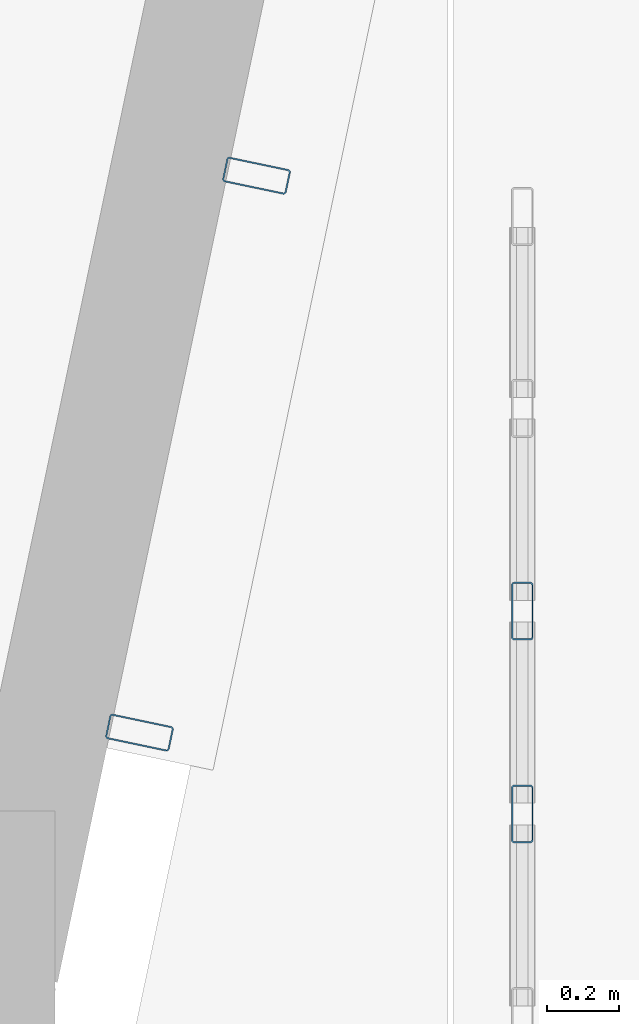
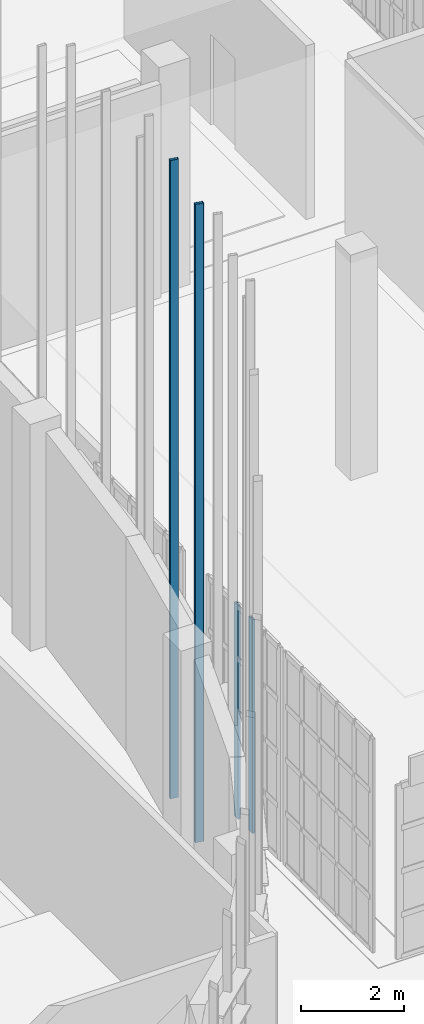
# One storey, part 275 of 372: 4 members, 1 element without a shape of its own.
"""IFC4 building model written with IfcOpenShell, lengths in metres."""

from ifc_helpers import new_model, si_unit, direction, frame, origin, origin_2d, place, context, subcontext, project, spatial, hollow_rectangle, extrude, material, material_profile, profile_set, type_object, element, aggregate, save


model = new_model("IFC4")

# Units and contexts
model_context = context("Model", 3, precision=1e-05, world=origin(), true_north=direction((0.0, 1.0)))
body_context = subcontext(model_context, "Body", "Model", "MODEL_VIEW")
ifc_project = project(units=[si_unit("LENGTHUNIT", "METRE"), si_unit("AREAUNIT", "SQUARE_METRE"), si_unit("VOLUMEUNIT", "CUBIC_METRE"), si_unit("PLANEANGLEUNIT", "RADIAN"), si_unit("MASSUNIT", "GRAM", prefix="KILO")], contexts=[model_context])

# Site, building, storey
site_placement = place(None, origin())
site = spatial("IfcSite", under=ifc_project, at=site_placement, CompositionType="ELEMENT")
building_placement = place(site_placement, origin())
building = spatial("IfcBuilding", under=site, at=building_placement, Name="Kaelora Sail Theatre", CompositionType="ELEMENT")
storey_placement = place(building_placement, origin())
storey = spatial("IfcBuildingStorey", under=building, at=storey_placement, Name="L00", CompositionType="ELEMENT", Elevation=0.0)

# Curtain wall, members
ifc_material_1 = material(Name="Anodised aluminium and solar-control low-E IGU", Category="aluminium")
curtain_wall_type = type_object("IfcCurtainWallType", Name="ARC-CW-CW-FOY2", PredefinedType="NOTDEFINED", material=ifc_material_1)
curtain_wall_placement = place(storey_placement, origin())
curtain_wall = element("IfcCurtainWall", 1, at=curtain_wall_placement, inside=storey, type_object=curtain_wall_type, Name="Glazed Colonnade/Courtyard Curtain Wall COLE-W-L00-02", PredefinedType="NOTDEFINED")
ifc_material_2 = material(Name="Anodised aluminium 6063-T6", Category="aluminium")
ifc_material_profile_1 = material_profile(ifc_material_2, hollow_rectangle(XDim=0.06005859375, YDim=0.159912109375, WallThickness=0.00390625, InnerFilletRadius=0.00390625, OuterFilletRadius=0.008056640625, at=origin_2d()), Name="ALU-MULL 60x160x4")
ifc_profile_set_1 = profile_set([ifc_material_profile_1], Name="Anodised aluminium 6063-T6")
member_type_1 = type_object("IfcMemberType", Name="ARC-MEM-ML-160", PredefinedType="MULLION", material=ifc_profile_set_1)
member_1_placement = place(storey_placement, frame((147.489990234375, 36.52001953125, 0.0), z_axis=(0.0, 0.0, 1.0), x_axis=(-1.0, 0.0, 0.0)))
member_1 = element("IfcMember", 2, at=member_1_placement, type_object=member_type_1, Name="CW-FOY2 mullion 3", PredefinedType="MULLION", context=body_context, shape_type="SweptSolid", body=[
    extrude(hollow_rectangle(XDim=0.06005859375, YDim=0.159912109375, WallThickness=0.00390625, InnerFilletRadius=0.00390625, OuterFilletRadius=0.008056640625, at=origin_2d()), origin(), (0.0, 0.0, 1.0), 5.0849609375),
])
member_2_placement = place(storey_placement, frame((147.489990234375, 37.080078125, 0.0), z_axis=(0.0, 0.0, 1.0), x_axis=(-1.0, 0.0, 0.0)))
member_2 = element("IfcMember", 3, at=member_2_placement, type_object=member_type_1, Name="CW-FOY2 mullion 4", PredefinedType="MULLION", context=body_context, shape_type="SweptSolid", body=[
    extrude(hollow_rectangle(XDim=0.06005859375, YDim=0.159912109375, WallThickness=0.00390625, InnerFilletRadius=0.00390625, OuterFilletRadius=0.008056640625, at=origin_2d()), origin(), (0.0, 0.0, 1.0), 5.0849609375),
])
aggregate(curtain_wall, [member_1, member_2])

# Members
ifc_material_3 = material(Name="Anodised aluminium 6063-T6", Category="aluminium")
ifc_material_profile_2 = material_profile(ifc_material_3, hollow_rectangle(XDim=0.070068359375, YDim=0.179931640625, WallThickness=0.00390625, InnerFilletRadius=0.00390625, OuterFilletRadius=0.008056640625, at=origin_2d()), Name="ALU-MULL 70x180x4")
ifc_profile_set_2 = profile_set([ifc_material_profile_2], Name="Anodised aluminium 6063-T6")
member_type_2 = type_object("IfcMemberType", Name="ARC-MEM-PST-160", PredefinedType="POST", material=ifc_profile_set_2)
for number, where, z_axis, x_axis, name in (
    (4, (146.755859375, 38.28271484375, 0.0), (0.0, 0.0, 1.0), (-0.205521007059, -0.978652704312, 0.0), "Black-Box and Experimental Sail Wing solar louvre vertical support post C4-2"),
    (5, (146.4326171875, 36.744384765625, 0.0), (0.0, 0.0, 1.0), (-0.205521007059, -0.978652704312, 0.0), "Black-Box and Experimental Sail Wing solar louvre vertical support post C4-3"),
):
    element("IfcMember", number, at=place(storey_placement, frame(where, z_axis=z_axis, x_axis=x_axis)), inside=storey, type_object=member_type_2, Name=name, PredefinedType="POST", context=body_context, shape_type="SweptSolid", body=[
        extrude(hollow_rectangle(XDim=0.070068359375, YDim=0.179931640625, WallThickness=0.00390625, InnerFilletRadius=0.00390625, OuterFilletRadius=0.008056640625, at=origin_2d()), origin(), (0.0, 0.0, 1.0), 15.19921875),
    ])

save(model, "model.ifc")
